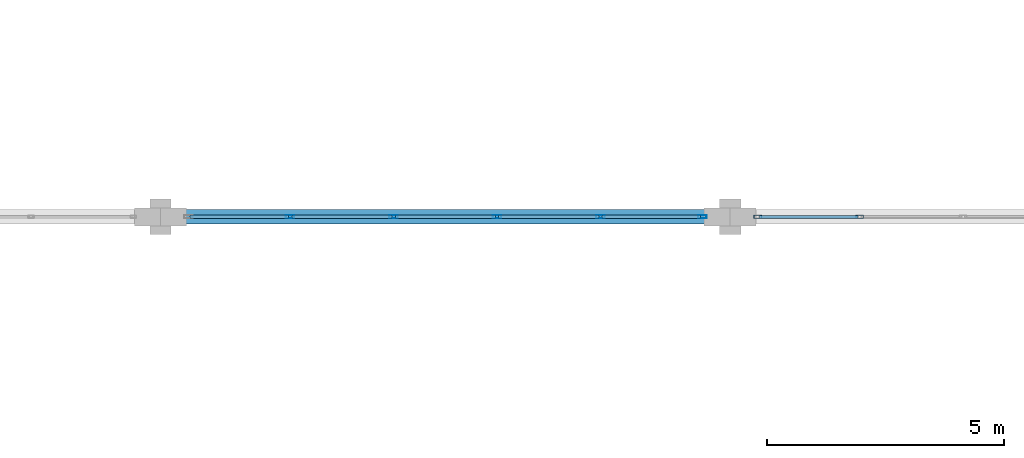
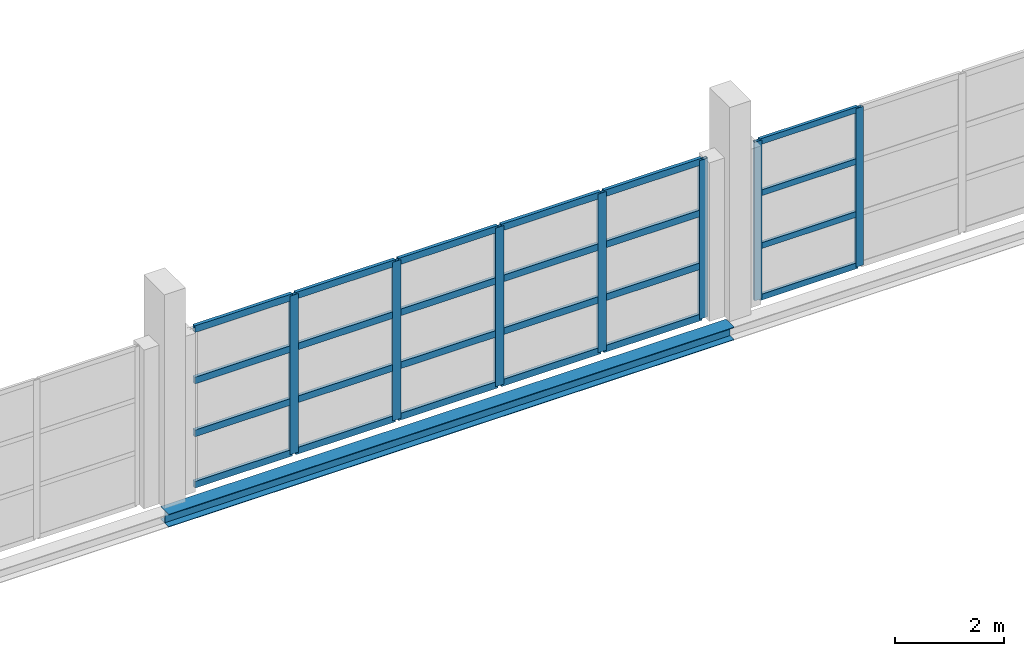
# One storey, part 78 of 147: 31 members, 1 beam, 2 elements without a shape of their own.
"""IFC4 building model written with IfcOpenShell, lengths in metres."""

from ifc_helpers import new_model, si_unit, direction, frame, origin, origin_2d, place, context, subcontext, project, spatial, hollow_rectangle, i_section, extrude, material, layer, layer_set, material_profile, profile_set, type_object, element, aggregate, save


model = new_model("IFC4")

# Units and contexts
model_context = context("Model", 3, precision=1e-05, world=origin(), true_north=direction((0.0, 1.0)))
body_context = subcontext(model_context, "Body", "Model", "MODEL_VIEW")
ifc_project = project(units=[si_unit("LENGTHUNIT", "METRE"), si_unit("AREAUNIT", "SQUARE_METRE"), si_unit("VOLUMEUNIT", "CUBIC_METRE"), si_unit("PLANEANGLEUNIT", "RADIAN"), si_unit("MASSUNIT", "GRAM", prefix="KILO")], contexts=[model_context])

# Site, building, storey
site_placement = place(None, origin())
site = spatial("IfcSite", under=ifc_project, at=site_placement, CompositionType="ELEMENT")
building_placement = place(site_placement, origin())
building = spatial("IfcBuilding", under=site, at=building_placement, Name="Zilviju Railside Exhibition Hall", CompositionType="ELEMENT")
storey_placement = place(building_placement, frame((0.0, 0.0, 8.39990234375)))
storey = spatial("IfcBuildingStorey", under=building, at=storey_placement, Name="L03", CompositionType="ELEMENT", Elevation=8.39990234375)

# Beam
ifc_material_1 = material(Name="Steel S355J2", Category="steel")
ifc_material_profile_1 = material_profile(ifc_material_1, i_section(OverallWidth=0.300048828125, OverallDepth=0.2900390625, WebThickness=0.008544921875, FlangeThickness=0.013916015625, at=origin_2d()), Name="HEA 300")
ifc_profile_set_1 = profile_set([ifc_material_profile_1], Name="Steel S355J2")
beam_type = type_object("IfcBeamType", Name="BM-HEA300", PredefinedType="SPANDREL", material=ifc_profile_set_1)
beam_placement = place(storey_placement, frame((144.0, 54.0, -0.48486328125), z_axis=(1.0, 0.0, 0.0), x_axis=(0.0, 1.0, 0.0)))
element("IfcBeam", 1, at=beam_placement, inside=storey, type_object=beam_type, Name="Primary Girder L03 Y=54.0 (144.0..156.0)", PredefinedType="SPANDREL", context=body_context, shape_type="SweptSolid", body=[
    extrude(i_section(OverallWidth=0.300048828125, OverallDepth=0.2900390625, WebThickness=0.008544921875, FlangeThickness=0.013916015625, at=origin_2d()), origin(), (0.0, 0.0, 1.0), 12.0),
])

# Curtain wall, members
ifc_material_2 = material(Name="Thermally broken aluminium-steel triple-glazed curtain wall", Category="steel")
ifc_layer_1 = layer(ifc_material_2, 0.179931640625)
ifc_layer_set_1 = layer_set([ifc_layer_1], Name="Thermally broken aluminium-steel triple-glazed curtain wall")
curtain_wall_type_1 = type_object("IfcCurtainWallType", Name="CW-BAY-10", PredefinedType="USERDEFINED", material=ifc_layer_set_1)
curtain_wall_1_placement = place(storey_placement, origin())
curtain_wall_1 = element("IfcCurtainWall", 2, at=curtain_wall_1_placement, inside=storey, type_object=curtain_wall_type_1, Name="South Hall Garden Court Curtain Wall L03 (156..168)", ObjectType="GLAZED CURTAIN WALL", PredefinedType="USERDEFINED")
ifc_material_3 = material(Name="Thermally broken anodized aluminium mullion", Category="aluminium")
ifc_material_profile_2 = material_profile(ifc_material_3, hollow_rectangle(XDim=0.06494140625, YDim=0.159912109375, WallThickness=0.0048828125, at=origin_2d()), Name="MULLION 160x65x5")
ifc_profile_set_2 = profile_set([ifc_material_profile_2], Name="Thermally broken anodized aluminium mullion")
member_type_1 = type_object("IfcMemberType", Name="CWM-65x160", PredefinedType="MULLION", material=ifc_profile_set_2)
member_1_placement = place(storey_placement, frame((156.58251953125, 54.0, 0.0), z_axis=(0.0, 0.0, 1.0), x_axis=(0.0, 1.0, 0.0)))
member_1 = element("IfcMember", 3, at=member_1_placement, type_object=member_type_1, Name="CW-10 mullion 1", PredefinedType="MULLION", context=body_context, shape_type="SweptSolid", body=[
    extrude(hollow_rectangle(XDim=0.06494140625, YDim=0.159912109375, WallThickness=0.0048828125, at=origin_2d()), origin(), (0.0, 0.0, 1.0), 3.56005859375),
])
member_2_placement = place(storey_placement, frame((158.72998046875, 54.0, 0.0), z_axis=(0.0, 0.0, 1.0), x_axis=(0.0, 1.0, 0.0)))
member_2 = element("IfcMember", 4, at=member_2_placement, type_object=member_type_1, Name="CW-10 mullion 2", PredefinedType="MULLION", context=body_context, shape_type="SweptSolid", body=[
    extrude(hollow_rectangle(XDim=0.06494140625, YDim=0.159912109375, WallThickness=0.0048828125, at=origin_2d()), origin(), (0.0, 0.0, 1.0), 3.56005859375),
])

ifc_layer_2 = layer(ifc_material_2, 0.179931640625)
ifc_layer_set_2 = layer_set([ifc_layer_2], Name="Thermally broken aluminium-steel triple-glazed curtain wall")
curtain_wall_type_2 = type_object("IfcCurtainWallType", Name="CW-BAY-09", PredefinedType="USERDEFINED", material=ifc_layer_set_2)
curtain_wall_2_placement = place(storey_placement, origin())
curtain_wall_2 = element("IfcCurtainWall", 5, at=curtain_wall_2_placement, inside=storey, type_object=curtain_wall_type_2, Name="South Hall Garden Court Curtain Wall L03 (144..156)", ObjectType="GLAZED CURTAIN WALL", PredefinedType="USERDEFINED")
ifc_material_profile_3 = material_profile(ifc_material_3, hollow_rectangle(XDim=0.070068359375, YDim=0.179931640625, WallThickness=0.0048828125, at=origin_2d()), Name="MULLION 180x70x5")
ifc_profile_set_3 = profile_set([ifc_material_profile_3], Name="Thermally broken anodized aluminium mullion")
member_type_2 = type_object("IfcMemberType", Name="CWM-70x180", PredefinedType="MULLION", material=ifc_profile_set_3)
member_3_placement = place(storey_placement, frame((146.72998046875, 54.0, 0.0), z_axis=(0.0, 0.0, 1.0), x_axis=(0.0, 1.0, 0.0)))
member_3 = element("IfcMember", 6, at=member_3_placement, type_object=member_type_2, Name="CW-09 mullion 2", PredefinedType="MULLION", context=body_context, shape_type="SweptSolid", body=[
    extrude(hollow_rectangle(XDim=0.070068359375, YDim=0.179931640625, WallThickness=0.0048828125, at=origin_2d()), origin(), (0.0, 0.0, 1.0), 3.56005859375),
])
member_4_placement = place(storey_placement, frame((148.909912109375, 54.0, 0.0), z_axis=(0.0, 0.0, 1.0), x_axis=(0.0, 1.0, 0.0)))
member_4 = element("IfcMember", 7, at=member_4_placement, type_object=member_type_2, Name="CW-09 mullion 3", PredefinedType="MULLION", context=body_context, shape_type="SweptSolid", body=[
    extrude(hollow_rectangle(XDim=0.070068359375, YDim=0.179931640625, WallThickness=0.0048828125, at=origin_2d()), origin(), (0.0, 0.0, 1.0), 3.56005859375),
])
member_5_placement = place(storey_placement, frame((151.090087890625, 54.0, 0.0), z_axis=(0.0, 0.0, 1.0), x_axis=(0.0, 1.0, 0.0)))
member_5 = element("IfcMember", 8, at=member_5_placement, type_object=member_type_2, Name="CW-09 mullion 4", PredefinedType="MULLION", context=body_context, shape_type="SweptSolid", body=[
    extrude(hollow_rectangle(XDim=0.070068359375, YDim=0.179931640625, WallThickness=0.0048828125, at=origin_2d()), origin(), (0.0, 0.0, 1.0), 3.56005859375),
])
member_6_placement = place(storey_placement, frame((153.27001953125, 54.0, 0.0), z_axis=(0.0, 0.0, 1.0), x_axis=(0.0, 1.0, 0.0)))
member_6 = element("IfcMember", 9, at=member_6_placement, type_object=member_type_2, Name="CW-09 mullion 5", PredefinedType="MULLION", context=body_context, shape_type="SweptSolid", body=[
    extrude(hollow_rectangle(XDim=0.070068359375, YDim=0.179931640625, WallThickness=0.0048828125, at=origin_2d()), origin(), (0.0, 0.0, 1.0), 3.56005859375),
])
member_7_placement = place(storey_placement, frame((155.4150390625, 54.0, 0.0), z_axis=(0.0, 0.0, 1.0), x_axis=(0.0, 1.0, 0.0)))
member_7 = element("IfcMember", 10, at=member_7_placement, type_object=member_type_2, Name="CW-09 mullion 6", PredefinedType="MULLION", context=body_context, shape_type="SweptSolid", body=[
    extrude(hollow_rectangle(XDim=0.070068359375, YDim=0.179931640625, WallThickness=0.0048828125, at=origin_2d()), origin(), (0.0, 0.0, 1.0), 3.56005859375),
])

# Member
ifc_material_4 = material(Name="Thermally broken anodized aluminium transom", Category="aluminium")
ifc_material_profile_4 = material_profile(ifc_material_4, hollow_rectangle(XDim=0.06494140625, YDim=0.1298828125, WallThickness=0.0048828125, at=origin_2d()), Name="TRANSOM 130x65x5")
ifc_profile_set_4 = profile_set([ifc_material_profile_4], Name="Thermally broken anodized aluminium transom")
member_type_3 = type_object("IfcMemberType", Name="CWT-65x130", PredefinedType="USERDEFINED", material=ifc_profile_set_4)
member_8_placement = place(storey_placement, frame((156.614990234375, 54.0, 0.03271484375), z_axis=(1.0, 0.0, 0.0), x_axis=(0.0, 1.0, 0.0)))
member_8 = element("IfcMember", 11, at=member_8_placement, type_object=member_type_3, Name="CW-10 transom 1.1", ObjectType="TRANSOM", PredefinedType="USERDEFINED", context=body_context, shape_type="SweptSolid", body=[
    extrude(hollow_rectangle(XDim=0.06494140625, YDim=0.1298828125, WallThickness=0.0048828125, at=origin_2d()), origin(), (0.0, 0.0, 1.0), 2.08251953125),
])

member_9_placement = place(storey_placement, frame((156.614990234375, 54.0, 1.18701171875), z_axis=(1.0, 0.0, 0.0), x_axis=(0.0, 1.0, 0.0)))
member_9 = element("IfcMember", 12, at=member_9_placement, type_object=member_type_3, Name="CW-10 transom 1.2", ObjectType="TRANSOM", PredefinedType="USERDEFINED", context=body_context, shape_type="SweptSolid", body=[
    extrude(hollow_rectangle(XDim=0.06494140625, YDim=0.1298828125, WallThickness=0.0048828125, at=origin_2d()), origin(), (0.0, 0.0, 1.0), 2.08251953125),
])

member_10_placement = place(storey_placement, frame((156.614990234375, 54.0, 2.373046875), z_axis=(1.0, 0.0, 0.0), x_axis=(0.0, 1.0, 0.0)))
member_10 = element("IfcMember", 13, at=member_10_placement, type_object=member_type_3, Name="CW-10 transom 1.3", ObjectType="TRANSOM", PredefinedType="USERDEFINED", context=body_context, shape_type="SweptSolid", body=[
    extrude(hollow_rectangle(XDim=0.06494140625, YDim=0.1298828125, WallThickness=0.0048828125, at=origin_2d()), origin(), (0.0, 0.0, 1.0), 2.08251953125),
])

member_11_placement = place(storey_placement, frame((156.614990234375, 54.0, 3.527587890625), z_axis=(1.0, 0.0, 0.0), x_axis=(0.0, 1.0, 0.0)))
member_11 = element("IfcMember", 14, at=member_11_placement, type_object=member_type_3, Name="CW-10 transom 1.4", ObjectType="TRANSOM", PredefinedType="USERDEFINED", context=body_context, shape_type="SweptSolid", body=[
    extrude(hollow_rectangle(XDim=0.06494140625, YDim=0.1298828125, WallThickness=0.0048828125, at=origin_2d()), origin(), (0.0, 0.0, 1.0), 2.08251953125),
])

aggregate(curtain_wall_1, [member_1, member_2, member_8, member_9, member_10, member_11])

ifc_material_profile_5 = material_profile(ifc_material_4, hollow_rectangle(XDim=0.070068359375, YDim=0.14990234375, WallThickness=0.0048828125, at=origin_2d()), Name="TRANSOM 150x70x5")
ifc_profile_set_5 = profile_set([ifc_material_profile_5], Name="Thermally broken anodized aluminium transom")
member_type_4 = type_object("IfcMemberType", Name="CWT-70x150", PredefinedType="USERDEFINED", material=ifc_profile_set_5)
member_12_placement = place(storey_placement, frame((144.6201171875, 54.0, 0.03515625), z_axis=(1.0, 0.0, 0.0), x_axis=(0.0, 1.0, 0.0)))
member_12 = element("IfcMember", 15, at=member_12_placement, type_object=member_type_4, Name="CW-09 transom 1.1", ObjectType="TRANSOM", PredefinedType="USERDEFINED", context=body_context, shape_type="SweptSolid", body=[
    extrude(hollow_rectangle(XDim=0.070068359375, YDim=0.14990234375, WallThickness=0.0048828125, at=origin_2d()), origin(), (0.0, 0.0, 1.0), 2.074951171875),
])

member_13_placement = place(storey_placement, frame((144.6201171875, 54.0, 1.18701171875), z_axis=(1.0, 0.0, 0.0), x_axis=(0.0, 1.0, 0.0)))
member_13 = element("IfcMember", 16, at=member_13_placement, type_object=member_type_4, Name="CW-09 transom 1.2", ObjectType="TRANSOM", PredefinedType="USERDEFINED", context=body_context, shape_type="SweptSolid", body=[
    extrude(hollow_rectangle(XDim=0.070068359375, YDim=0.14990234375, WallThickness=0.0048828125, at=origin_2d()), origin(), (0.0, 0.0, 1.0), 2.074951171875),
])

member_14_placement = place(storey_placement, frame((144.6201171875, 54.0, 2.373046875), z_axis=(1.0, 0.0, 0.0), x_axis=(0.0, 1.0, 0.0)))
member_14 = element("IfcMember", 17, at=member_14_placement, type_object=member_type_4, Name="CW-09 transom 1.3", ObjectType="TRANSOM", PredefinedType="USERDEFINED", context=body_context, shape_type="SweptSolid", body=[
    extrude(hollow_rectangle(XDim=0.070068359375, YDim=0.14990234375, WallThickness=0.0048828125, at=origin_2d()), origin(), (0.0, 0.0, 1.0), 2.074951171875),
])

member_15_placement = place(storey_placement, frame((144.6201171875, 54.0, 3.525146484375), z_axis=(1.0, 0.0, 0.0), x_axis=(0.0, 1.0, 0.0)))
member_15 = element("IfcMember", 18, at=member_15_placement, type_object=member_type_4, Name="CW-09 transom 1.4", ObjectType="TRANSOM", PredefinedType="USERDEFINED", context=body_context, shape_type="SweptSolid", body=[
    extrude(hollow_rectangle(XDim=0.070068359375, YDim=0.14990234375, WallThickness=0.0048828125, at=origin_2d()), origin(), (0.0, 0.0, 1.0), 2.074951171875),
])

member_16_placement = place(storey_placement, frame((146.764892578125, 54.0, 0.03515625), z_axis=(1.0, 0.0, 0.0), x_axis=(0.0, 1.0, 0.0)))
member_16 = element("IfcMember", 19, at=member_16_placement, type_object=member_type_4, Name="CW-09 transom 2.1", ObjectType="TRANSOM", PredefinedType="USERDEFINED", context=body_context, shape_type="SweptSolid", body=[
    extrude(hollow_rectangle(XDim=0.070068359375, YDim=0.14990234375, WallThickness=0.0048828125, at=origin_2d()), origin(), (0.0, 0.0, 1.0), 2.110107421875),
])

member_17_placement = place(storey_placement, frame((146.764892578125, 54.0, 1.18701171875), z_axis=(1.0, 0.0, 0.0), x_axis=(0.0, 1.0, 0.0)))
member_17 = element("IfcMember", 20, at=member_17_placement, type_object=member_type_4, Name="CW-09 transom 2.2", ObjectType="TRANSOM", PredefinedType="USERDEFINED", context=body_context, shape_type="SweptSolid", body=[
    extrude(hollow_rectangle(XDim=0.070068359375, YDim=0.14990234375, WallThickness=0.0048828125, at=origin_2d()), origin(), (0.0, 0.0, 1.0), 2.110107421875),
])

member_18_placement = place(storey_placement, frame((146.764892578125, 54.0, 2.373046875), z_axis=(1.0, 0.0, 0.0), x_axis=(0.0, 1.0, 0.0)))
member_18 = element("IfcMember", 21, at=member_18_placement, type_object=member_type_4, Name="CW-09 transom 2.3", ObjectType="TRANSOM", PredefinedType="USERDEFINED", context=body_context, shape_type="SweptSolid", body=[
    extrude(hollow_rectangle(XDim=0.070068359375, YDim=0.14990234375, WallThickness=0.0048828125, at=origin_2d()), origin(), (0.0, 0.0, 1.0), 2.110107421875),
])

member_19_placement = place(storey_placement, frame((146.764892578125, 54.0, 3.525146484375), z_axis=(1.0, 0.0, 0.0), x_axis=(0.0, 1.0, 0.0)))
member_19 = element("IfcMember", 22, at=member_19_placement, type_object=member_type_4, Name="CW-09 transom 2.4", ObjectType="TRANSOM", PredefinedType="USERDEFINED", context=body_context, shape_type="SweptSolid", body=[
    extrude(hollow_rectangle(XDim=0.070068359375, YDim=0.14990234375, WallThickness=0.0048828125, at=origin_2d()), origin(), (0.0, 0.0, 1.0), 2.110107421875),
])

member_20_placement = place(storey_placement, frame((148.945068359375, 54.0, 0.03515625), z_axis=(1.0, 0.0, 0.0), x_axis=(0.0, 1.0, 0.0)))
member_20 = element("IfcMember", 23, at=member_20_placement, type_object=member_type_4, Name="CW-09 transom 3.1", ObjectType="TRANSOM", PredefinedType="USERDEFINED", context=body_context, shape_type="SweptSolid", body=[
    extrude(hollow_rectangle(XDim=0.070068359375, YDim=0.14990234375, WallThickness=0.0048828125, at=origin_2d()), origin(), (0.0, 0.0, 1.0), 2.10986328125),
])

member_21_placement = place(storey_placement, frame((148.945068359375, 54.0, 1.18701171875), z_axis=(1.0, 0.0, 0.0), x_axis=(0.0, 1.0, 0.0)))
member_21 = element("IfcMember", 24, at=member_21_placement, type_object=member_type_4, Name="CW-09 transom 3.2", ObjectType="TRANSOM", PredefinedType="USERDEFINED", context=body_context, shape_type="SweptSolid", body=[
    extrude(hollow_rectangle(XDim=0.070068359375, YDim=0.14990234375, WallThickness=0.0048828125, at=origin_2d()), origin(), (0.0, 0.0, 1.0), 2.10986328125),
])

member_22_placement = place(storey_placement, frame((148.945068359375, 54.0, 2.373046875), z_axis=(1.0, 0.0, 0.0), x_axis=(0.0, 1.0, 0.0)))
member_22 = element("IfcMember", 25, at=member_22_placement, type_object=member_type_4, Name="CW-09 transom 3.3", ObjectType="TRANSOM", PredefinedType="USERDEFINED", context=body_context, shape_type="SweptSolid", body=[
    extrude(hollow_rectangle(XDim=0.070068359375, YDim=0.14990234375, WallThickness=0.0048828125, at=origin_2d()), origin(), (0.0, 0.0, 1.0), 2.10986328125),
])

member_23_placement = place(storey_placement, frame((148.945068359375, 54.0, 3.525146484375), z_axis=(1.0, 0.0, 0.0), x_axis=(0.0, 1.0, 0.0)))
member_23 = element("IfcMember", 26, at=member_23_placement, type_object=member_type_4, Name="CW-09 transom 3.4", ObjectType="TRANSOM", PredefinedType="USERDEFINED", context=body_context, shape_type="SweptSolid", body=[
    extrude(hollow_rectangle(XDim=0.070068359375, YDim=0.14990234375, WallThickness=0.0048828125, at=origin_2d()), origin(), (0.0, 0.0, 1.0), 2.10986328125),
])

member_24_placement = place(storey_placement, frame((151.125, 54.0, 0.03515625), z_axis=(1.0, 0.0, 0.0), x_axis=(0.0, 1.0, 0.0)))
member_24 = element("IfcMember", 27, at=member_24_placement, type_object=member_type_4, Name="CW-09 transom 4.1", ObjectType="TRANSOM", PredefinedType="USERDEFINED", context=body_context, shape_type="SweptSolid", body=[
    extrude(hollow_rectangle(XDim=0.070068359375, YDim=0.14990234375, WallThickness=0.0048828125, at=origin_2d()), origin(), (0.0, 0.0, 1.0), 2.110107421875),
])

member_25_placement = place(storey_placement, frame((151.125, 54.0, 1.18701171875), z_axis=(1.0, 0.0, 0.0), x_axis=(0.0, 1.0, 0.0)))
member_25 = element("IfcMember", 28, at=member_25_placement, type_object=member_type_4, Name="CW-09 transom 4.2", ObjectType="TRANSOM", PredefinedType="USERDEFINED", context=body_context, shape_type="SweptSolid", body=[
    extrude(hollow_rectangle(XDim=0.070068359375, YDim=0.14990234375, WallThickness=0.0048828125, at=origin_2d()), origin(), (0.0, 0.0, 1.0), 2.110107421875),
])

member_26_placement = place(storey_placement, frame((151.125, 54.0, 2.373046875), z_axis=(1.0, 0.0, 0.0), x_axis=(0.0, 1.0, 0.0)))
member_26 = element("IfcMember", 29, at=member_26_placement, type_object=member_type_4, Name="CW-09 transom 4.3", ObjectType="TRANSOM", PredefinedType="USERDEFINED", context=body_context, shape_type="SweptSolid", body=[
    extrude(hollow_rectangle(XDim=0.070068359375, YDim=0.14990234375, WallThickness=0.0048828125, at=origin_2d()), origin(), (0.0, 0.0, 1.0), 2.110107421875),
])

member_27_placement = place(storey_placement, frame((151.125, 54.0, 3.525146484375), z_axis=(1.0, 0.0, 0.0), x_axis=(0.0, 1.0, 0.0)))
member_27 = element("IfcMember", 30, at=member_27_placement, type_object=member_type_4, Name="CW-09 transom 4.4", ObjectType="TRANSOM", PredefinedType="USERDEFINED", context=body_context, shape_type="SweptSolid", body=[
    extrude(hollow_rectangle(XDim=0.070068359375, YDim=0.14990234375, WallThickness=0.0048828125, at=origin_2d()), origin(), (0.0, 0.0, 1.0), 2.110107421875),
])

member_28_placement = place(storey_placement, frame((153.304931640625, 54.0, 0.03515625), z_axis=(1.0, 0.0, 0.0), x_axis=(0.0, 1.0, 0.0)))
member_28 = element("IfcMember", 31, at=member_28_placement, type_object=member_type_4, Name="CW-09 transom 5.1", ObjectType="TRANSOM", PredefinedType="USERDEFINED", context=body_context, shape_type="SweptSolid", body=[
    extrude(hollow_rectangle(XDim=0.070068359375, YDim=0.14990234375, WallThickness=0.0048828125, at=origin_2d()), origin(), (0.0, 0.0, 1.0), 2.074951171875),
])

member_29_placement = place(storey_placement, frame((153.304931640625, 54.0, 1.18701171875), z_axis=(1.0, 0.0, 0.0), x_axis=(0.0, 1.0, 0.0)))
member_29 = element("IfcMember", 32, at=member_29_placement, type_object=member_type_4, Name="CW-09 transom 5.2", ObjectType="TRANSOM", PredefinedType="USERDEFINED", context=body_context, shape_type="SweptSolid", body=[
    extrude(hollow_rectangle(XDim=0.070068359375, YDim=0.14990234375, WallThickness=0.0048828125, at=origin_2d()), origin(), (0.0, 0.0, 1.0), 2.074951171875),
])

member_30_placement = place(storey_placement, frame((153.304931640625, 54.0, 2.373046875), z_axis=(1.0, 0.0, 0.0), x_axis=(0.0, 1.0, 0.0)))
member_30 = element("IfcMember", 33, at=member_30_placement, type_object=member_type_4, Name="CW-09 transom 5.3", ObjectType="TRANSOM", PredefinedType="USERDEFINED", context=body_context, shape_type="SweptSolid", body=[
    extrude(hollow_rectangle(XDim=0.070068359375, YDim=0.14990234375, WallThickness=0.0048828125, at=origin_2d()), origin(), (0.0, 0.0, 1.0), 2.074951171875),
])

member_31_placement = place(storey_placement, frame((153.304931640625, 54.0, 3.525146484375), z_axis=(1.0, 0.0, 0.0), x_axis=(0.0, 1.0, 0.0)))
member_31 = element("IfcMember", 34, at=member_31_placement, type_object=member_type_4, Name="CW-09 transom 5.4", ObjectType="TRANSOM", PredefinedType="USERDEFINED", context=body_context, shape_type="SweptSolid", body=[
    extrude(hollow_rectangle(XDim=0.070068359375, YDim=0.14990234375, WallThickness=0.0048828125, at=origin_2d()), origin(), (0.0, 0.0, 1.0), 2.074951171875),
])

aggregate(curtain_wall_2, [member_3, member_4, member_5, member_6, member_7, member_12, member_13, member_14, member_15, member_16, member_17, member_18, member_19, member_20, member_21, member_22, member_23, member_24, member_25, member_26, member_27, member_28, member_29, member_30, member_31])

save(model, "model.ifc")
